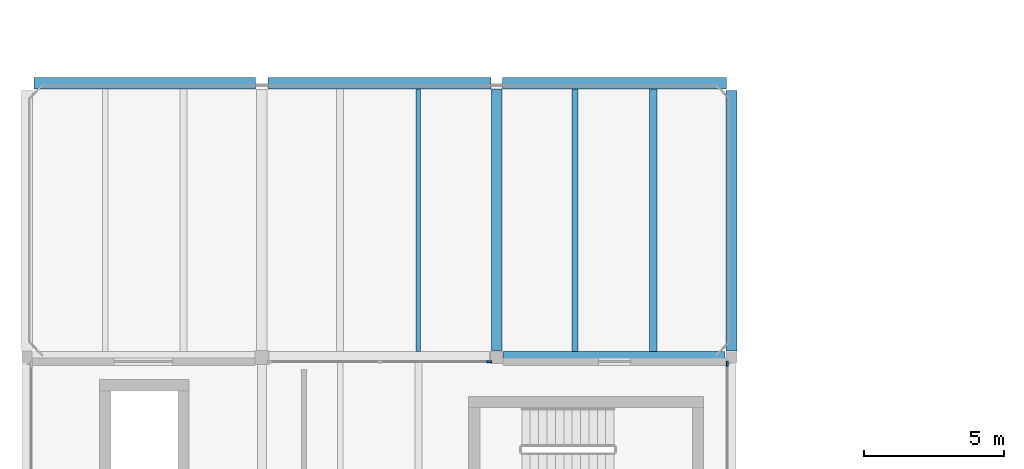
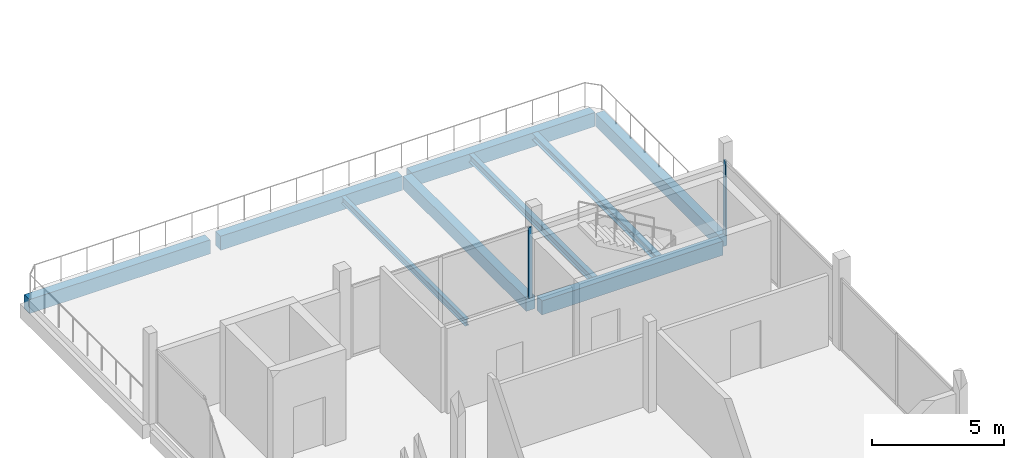
# One storey, part 4 of 23: 9 beams, 2 members, 2 elements without a shape of their own.
"""IFC4 building model written with IfcOpenShell, lengths in metres."""

from ifc_helpers import new_model, si_unit, direction, frame, origin, origin_2d, place, context, subcontext, project, spatial, rectangle, i_section, extrude, material, layer, layer_set, material_profile, profile_set, type_object, element, aggregate, save


model = new_model("IFC4")

# Units and contexts
model_context = context("Model", 3, precision=1e-05, world=origin(), true_north=direction((0.0, 1.0)))
body_context = subcontext(model_context, "Body", "Model", "MODEL_VIEW")
ifc_project = project(units=[si_unit("LENGTHUNIT", "METRE"), si_unit("AREAUNIT", "SQUARE_METRE"), si_unit("VOLUMEUNIT", "CUBIC_METRE"), si_unit("PLANEANGLEUNIT", "RADIAN"), si_unit("MASSUNIT", "GRAM", prefix="KILO")], contexts=[model_context])

# Site, building, storey
site_placement = place(None, origin())
site = spatial("IfcSite", under=ifc_project, at=site_placement, CompositionType="ELEMENT")
building_placement = place(site_placement, origin())
building = spatial("IfcBuilding", under=site, at=building_placement, Name="Birchvale Park Specialist Clinic", CompositionType="ELEMENT")
storey_placement = place(building_placement, frame((0.0, 0.0, 18.0)))
storey = spatial("IfcBuildingStorey", under=building, at=storey_placement, Name="L04", CompositionType="ELEMENT", Elevation=18.0)

# Beams
ifc_material_1 = material(Name="Concrete C40/50", Category="concrete")
ifc_material_profile_1 = material_profile(ifc_material_1, rectangle(XDim=0.39990234375, YDim=0.64990234375, at=origin_2d()), Name="RCB-400x650")
ifc_profile_set_1 = profile_set([ifc_material_profile_1], Name="Concrete C40/50")
beam_type_1 = type_object("IfcBeamType", Name="BM-INT-BG4", PredefinedType="BEAM", material=ifc_profile_set_1)
for number, where, z_axis, x_axis, name in (
    (1, (28.25, 34.60009765625, -0.635009765625), (1.0, 0.0, 0.0), (0.0, 1.0, 0.0), "V2 L04 X girder 9"),
    (2, (11.449951171875, 44.39990234375, -0.635009765625), (1.0, 0.0, 0.0), (0.0, 1.0, 0.0), "V2 L04 X girder 10"),
):
    element("IfcBeam", number, at=place(storey_placement, frame(where, z_axis=z_axis, x_axis=x_axis)), inside=storey, type_object=beam_type_1, Name=name, PredefinedType="BEAM", context=body_context, shape_type="SweptSolid", body=[
        extrude(rectangle(XDim=0.39990234375, YDim=0.64990234375, at=origin_2d()), origin(), (0.0, 0.0, 1.0), 7.925048828125),
    ])
beam_1_placement = place(storey_placement, frame((19.824951171875, 44.39990234375, -0.635009765625), z_axis=(1.0, 0.0, 0.0), x_axis=(0.0, 1.0, 0.0)))
element("IfcBeam", 3, at=beam_1_placement, inside=storey, type_object=beam_type_1, Name="V2 L04 X girder 11", PredefinedType="BEAM", context=body_context, shape_type="SweptSolid", body=[
    extrude(rectangle(XDim=0.39990234375, YDim=0.64990234375, at=origin_2d()), origin(), (0.0, 0.0, 1.0), 7.97509765625),
])
beam_2_placement = place(storey_placement, frame((28.199951171875, 44.39990234375, -0.635009765625), z_axis=(1.0, 0.0, 0.0), x_axis=(0.0, 1.0, 0.0)))
element("IfcBeam", 4, at=beam_2_placement, inside=storey, type_object=beam_type_1, Name="V2 L04 X girder 12", PredefinedType="BEAM", context=body_context, shape_type="SweptSolid", body=[
    extrude(rectangle(XDim=0.39990234375, YDim=0.64990234375, at=origin_2d()), origin(), (0.0, 0.0, 1.0), 8.025146484375),
])
ifc_material_profile_2 = material_profile(ifc_material_1, rectangle(XDim=0.3798828125, YDim=0.60009765625, at=origin_2d()), Name="RCB-380x600")
ifc_profile_set_2 = profile_set([ifc_material_profile_2], Name="Concrete C40/50")
beam_type_2 = type_object("IfcBeamType", Name="BM-INT-BG5", PredefinedType="BEAM", material=ifc_profile_set_2)
beam_3_placement = place(storey_placement, frame((28.0, 34.85009765625, -0.610107421875), z_axis=(0.0, 1.0, 0.0), x_axis=(-1.0, 0.0, 0.0)))
element("IfcBeam", 5, at=beam_3_placement, inside=storey, type_object=beam_type_2, Name="V2 L04 Y girder 20", PredefinedType="BEAM", context=body_context, shape_type="SweptSolid", body=[
    extrude(rectangle(XDim=0.3798828125, YDim=0.60009765625, at=origin_2d()), origin(), (0.0, 0.0, 1.0), 9.349853515625),
])
beam_4_placement = place(storey_placement, frame((36.39990234375, 34.824951171875, -0.610107421875), z_axis=(0.0, 1.0, 0.0), x_axis=(-1.0, 0.0, 0.0)))
element("IfcBeam", 6, at=beam_4_placement, inside=storey, type_object=beam_type_2, Name="V2 L04 Y girder 23", PredefinedType="BEAM", context=body_context, shape_type="SweptSolid", body=[
    extrude(rectangle(XDim=0.3798828125, YDim=0.60009765625, at=origin_2d()), origin(), (0.0, 0.0, 1.0), 9.324951171875),
])

# Curtain wall, member
ifc_material_2 = material(Name="Thermally broken anodised aluminium", Category="aluminium")
ifc_layer = layer(ifc_material_2, 0.195068359375)
ifc_layer_set = layer_set([ifc_layer], Name="Thermally broken anodised aluminium")
curtain_wall_type = type_object("IfcCurtainWallType", Name="CW-U2", PredefinedType="USERDEFINED", material=ifc_layer_set)
curtain_wall_1_placement = place(storey_placement, origin())
curtain_wall_1 = element("IfcCurtainWall", 7, at=curtain_wall_1_placement, inside=storey, type_object=curtain_wall_type, Name="V2 L04 glazed curtain wall 135", ObjectType="UNITISED", PredefinedType="USERDEFINED")
ifc_material_profile_3 = material_profile(ifc_material_2, rectangle(XDim=0.06494140625, YDim=0.179931640625, at=origin_2d()), Name="CWM-65x180")
ifc_profile_set_3 = profile_set([ifc_material_profile_3], Name="Thermally broken anodised aluminium")
member_type = type_object("IfcMemberType", Name="CWM2", PredefinedType="MULLION", material=ifc_profile_set_3)
member_1_placement = place(storey_placement, frame((36.2451171875, 34.367431640625, 0.0), z_axis=(0.0, 0.0, 1.0), x_axis=(-1.0, 0.0, 0.0)))
member_1 = element("IfcMember", 8, at=member_1_placement, type_object=member_type, Name="CW mullion 3", PredefinedType="MULLION", context=body_context, shape_type="SweptSolid", body=[
    extrude(rectangle(XDim=0.06494140625, YDim=0.179931640625, at=origin_2d()), origin(), (0.0, 0.0, 1.0), 3.425048828125),
])
aggregate(curtain_wall_1, [member_1])

curtain_wall_2_placement = place(storey_placement, origin())
curtain_wall_2 = element("IfcCurtainWall", 9, at=curtain_wall_2_placement, inside=storey, type_object=curtain_wall_type, Name="V2 L04 glazed curtain wall 136", ObjectType="UNITISED", PredefinedType="USERDEFINED")
member_2_placement = place(storey_placement, frame((27.742431640625, 34.445068359375, 0.0), z_axis=(0.0, 0.0, 1.0), x_axis=(0.0, -1.0, 0.0)))
member_2 = element("IfcMember", 10, at=member_2_placement, type_object=member_type, Name="CW mullion 1", PredefinedType="MULLION", context=body_context, shape_type="SweptSolid", body=[
    extrude(rectangle(XDim=0.06494140625, YDim=0.179931640625, at=origin_2d()), origin(), (0.0, 0.0, 1.0), 3.27490234375),
])
aggregate(curtain_wall_2, [member_2])

# Beams
ifc_material_3 = material(Name="Steel ASTM A992 Grade 50", Category="steel")
ifc_material_profile_4 = material_profile(ifc_material_3, i_section(OverallWidth=0.2041015625, OverallDepth=0.35107421875, WebThickness=0.008544921875, FlangeThickness=0.01513671875, at=origin_2d()), Name="W14X48")
ifc_profile_set_4 = profile_set([ifc_material_profile_4], Name="Steel ASTM A992 Grade 50")
beam_type_3 = type_object("IfcBeamType", Name="STL-INT-SJ1", PredefinedType="JOIST", material=ifc_profile_set_4)
beam_5_placement = place(storey_placement, frame((30.800048828125, 34.800048828125, -0.485595703125), z_axis=(0.0, 1.0, 0.0), x_axis=(-1.0, 0.0, 0.0)))
element("IfcBeam", 11, at=beam_5_placement, inside=storey, type_object=beam_type_3, Name="V2 L04 secondary floor joist 11", PredefinedType="JOIST", context=body_context, shape_type="SweptSolid", body=[
    extrude(i_section(OverallWidth=0.2041015625, OverallDepth=0.35107421875, WebThickness=0.008544921875, FlangeThickness=0.01513671875, at=origin_2d()), origin(), (0.0, 0.0, 1.0), 9.39990234375),
])
ifc_material_profile_5 = material_profile(ifc_material_3, i_section(OverallWidth=0.25390625, OverallDepth=0.305908203125, WebThickness=0.0087890625, FlangeThickness=0.0146484375, at=origin_2d()), Name="W12X53")
ifc_profile_set_5 = profile_set([ifc_material_profile_5], Name="Steel ASTM A992 Grade 50")
beam_type_4 = type_object("IfcBeamType", Name="STL-INT-SJ2", PredefinedType="JOIST", material=ifc_profile_set_5)
beam_6_placement = place(storey_placement, frame((33.60009765625, 34.800048828125, -0.462890625), z_axis=(0.0, 1.0, 0.0), x_axis=(-1.0, 0.0, 0.0)))
element("IfcBeam", 12, at=beam_6_placement, inside=storey, type_object=beam_type_4, Name="V2 L04 secondary floor joist 12", PredefinedType="JOIST", context=body_context, shape_type="SweptSolid", body=[
    extrude(i_section(OverallWidth=0.25390625, OverallDepth=0.305908203125, WebThickness=0.0087890625, FlangeThickness=0.0146484375, at=origin_2d()), origin(), (0.0, 0.0, 1.0), 9.39990234375),
])
ifc_material_profile_6 = material_profile(ifc_material_3, i_section(OverallWidth=0.1669921875, OverallDepth=0.31689453125, WebThickness=0.007568359375, FlangeThickness=0.01318359375, at=origin_2d()), Name="W12X35")
ifc_profile_set_6 = profile_set([ifc_material_profile_6], Name="Steel ASTM A992 Grade 50")
beam_type_5 = type_object("IfcBeamType", Name="STL-INT-SJ3", PredefinedType="JOIST", material=ifc_profile_set_6)
beam_7_placement = place(storey_placement, frame((25.199951171875, 34.800048828125, -0.468505859375), z_axis=(0.0, 1.0, 0.0), x_axis=(-1.0, 0.0, 0.0)))
element("IfcBeam", 13, at=beam_7_placement, inside=storey, type_object=beam_type_5, Name="V2 L04 secondary floor joist 8", PredefinedType="JOIST", context=body_context, shape_type="SweptSolid", body=[
    extrude(i_section(OverallWidth=0.1669921875, OverallDepth=0.31689453125, WebThickness=0.007568359375, FlangeThickness=0.01318359375, at=origin_2d()), origin(), (0.0, 0.0, 1.0), 9.39990234375),
])

save(model, "model.ifc")
